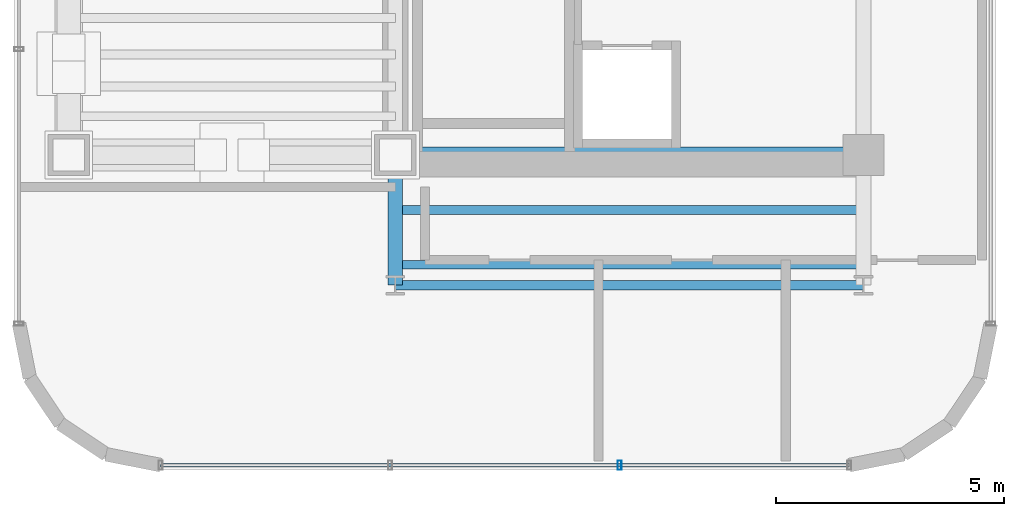
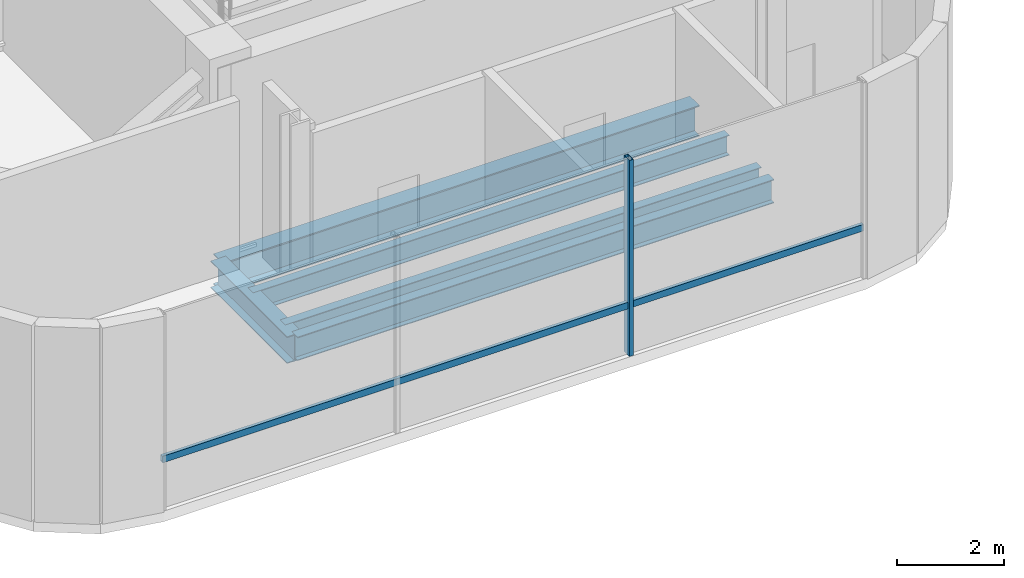
# One storey, part 3 of 20: 5 beams, 2 members, 1 element without a shape of its own.
"""IFC4 building model written with IfcOpenShell, lengths in metres."""

from ifc_helpers import new_model, si_unit, direction, frame, origin, origin_2d, place, context, subcontext, project, spatial, hollow_rectangle, i_section, extrude, source, transform, mapped, material, material_profile, profile_set, type_object, element, aggregate, save


model = new_model("IFC4")

# Units and contexts
model_context = context("Model", 3, precision=1e-05, world=origin(), true_north=direction((0.0, 1.0)))
body_context = subcontext(model_context, "Body", "Model", "MODEL_VIEW")
ifc_project = project(units=[si_unit("LENGTHUNIT", "METRE"), si_unit("AREAUNIT", "SQUARE_METRE"), si_unit("VOLUMEUNIT", "CUBIC_METRE"), si_unit("PLANEANGLEUNIT", "RADIAN"), si_unit("MASSUNIT", "GRAM", prefix="KILO")], contexts=[model_context])

# Site, building, storey
site_placement = place(None, origin())
site = spatial("IfcSite", under=ifc_project, at=site_placement, CompositionType="ELEMENT")
building_placement = place(site_placement, origin())
building = spatial("IfcBuilding", under=site, at=building_placement, Name="Valdorenza Pilgrim Sanctuary Tower", CompositionType="ELEMENT")
storey_placement = place(building_placement, frame((0.0, 0.0, 196.300048828125)))
storey = spatial("IfcBuildingStorey", under=building, at=storey_placement, Name="L50", CompositionType="ELEMENT", Elevation=196.300048828125)

# Beams
ifc_material_1 = material(Name="Steel ASTM A992 Grade 50", Category="steel")
ifc_material_profile_1 = material_profile(ifc_material_1, i_section(OverallWidth=0.323974609375, OverallDepth=0.611083984375, WebThickness=0.0126953125, FlangeThickness=0.01904296875, at=origin_2d()), Name="W24X104")
ifc_profile_set_1 = profile_set([ifc_material_profile_1], Name="Steel ASTM A992 Grade 50")
beam_type_1 = type_object("IfcBeamType", Name="STR-BM-GRD-W24B", PredefinedType="BEAM", material=ifc_profile_set_1)
shared_shape_1 = source(origin(), body_context, "Body", "SweptSolid", [
    extrude(i_section(OverallWidth=0.323974609375, OverallDepth=0.611083984375, WebThickness=0.0126953125, FlangeThickness=0.01904296875, at=origin_2d()), origin(), (0.0, 0.0, 1.0), 2.849853515625),
])
beam_1_placement = place(storey_placement, frame((-22.64990234375, -13.449951171875, -0.545654296875), z_axis=(0.0, 1.0, 0.0), x_axis=(-1.0, 0.0, 0.0)))
element("IfcBeam", 1, at=beam_1_placement, inside=storey, type_object=beam_type_1, Name="L50 Floor Girder WA-S-LW", PredefinedType="BEAM", context=body_context, shape_type="MappedRepresentation", body=[
    mapped(shared_shape_1, transform((0.0, 0.0, 0.0), x_axis=(1.0, 0.0, 0.0), y_axis=(0.0, 1.0, 0.0), z_axis=(0.0, 0.0, 1.0), scale=1.0)),
])
ifc_material_profile_2 = material_profile(ifc_material_1, i_section(OverallWidth=0.19091796875, OverallDepth=0.45703125, WebThickness=0.009033203125, FlangeThickness=0.014404296875, at=origin_2d()), Name="W18X50")
ifc_profile_set_2 = profile_set([ifc_material_profile_2], Name="Steel ASTM A992 Grade 50")
beam_type_2 = type_object("IfcBeamType", Name="STR-BM-JST-W18B", PredefinedType="JOIST", material=ifc_profile_set_2)
shared_shape_2 = source(origin(), body_context, "Body", "SweptSolid", [
    extrude(i_section(OverallWidth=0.19091796875, OverallDepth=0.45703125, WebThickness=0.009033203125, FlangeThickness=0.014404296875, at=origin_2d()), origin(), (0.0, 0.0, 1.0), 10.25),
])
for number, where, z_axis, x_axis, name in (
    (2, (-22.64990234375, -13.0, -0.468505859375), (1.0, 0.0, 0.0), (0.0, 1.0, 0.0), "L50 Composite Floor Joist JST-WAS-1"),
    (3, (-22.64990234375, -11.800048828125, -0.468505859375), (1.0, 0.0, 0.0), (0.0, 1.0, 0.0), "L50 Composite Floor Joist JST-WAS-2"),
):
    element("IfcBeam", number, at=place(storey_placement, frame(where, z_axis=z_axis, x_axis=x_axis)), inside=storey, type_object=beam_type_2, Name=name, PredefinedType="JOIST", context=body_context, shape_type="MappedRepresentation", body=[
        mapped(shared_shape_2, transform((0.0, 0.0, 0.0), x_axis=(1.0, 0.0, 0.0), y_axis=(0.0, 1.0, 0.0), z_axis=(0.0, 0.0, 1.0), scale=1.0)),
    ])
ifc_material_profile_3 = material_profile(ifc_material_1, i_section(OverallWidth=0.2109375, OverallDepth=0.5390625, WebThickness=0.01171875, FlangeThickness=0.018798828125, at=origin_2d()), Name="W21X73")
ifc_profile_set_3 = profile_set([ifc_material_profile_3], Name="Steel ASTM A992 Grade 50")
beam_type_3 = type_object("IfcBeamType", Name="STR-BM-SPN-W21B", PredefinedType="SPANDREL", material=ifc_profile_set_3)
shared_shape_3 = source(origin(), body_context, "Body", "SweptSolid", [
    extrude(i_section(OverallWidth=0.2109375, OverallDepth=0.5390625, WebThickness=0.01171875, FlangeThickness=0.018798828125, at=origin_2d()), origin(), (0.0, 0.0, 1.0), 10.25),
])
beam_2_placement = place(storey_placement, frame((-22.64990234375, -13.449951171875, -0.509521484375), z_axis=(1.0, 0.0, 0.0), x_axis=(0.0, 1.0, 0.0)))
element("IfcBeam", 4, at=beam_2_placement, inside=storey, type_object=beam_type_3, Name="L50 South Spandrel WA-S-TIE", PredefinedType="SPANDREL", context=body_context, shape_type="MappedRepresentation", body=[
    mapped(shared_shape_3, transform((0.0, 0.0, 0.0), x_axis=(1.0, 0.0, 0.0), y_axis=(0.0, 1.0, 0.0), z_axis=(0.0, 0.0, 1.0), scale=1.0)),
])
ifc_material_profile_4 = material_profile(ifc_material_1, i_section(OverallWidth=0.35595703125, OverallDepth=0.700927734375, WebThickness=0.016845703125, FlangeThickness=0.02734375, at=origin_2d()), Name="W27X161")
ifc_profile_set_4 = profile_set([ifc_material_profile_4], Name="Steel ASTM A992 Grade 50")
beam_type_4 = type_object("IfcBeamType", Name="STR-BM-GRD-W27", PredefinedType="BEAM", material=ifc_profile_set_4)
shared_shape_4 = source(origin(), body_context, "Body", "SweptSolid", [
    extrude(i_section(OverallWidth=0.35595703125, OverallDepth=0.700927734375, WebThickness=0.016845703125, FlangeThickness=0.02734375, at=origin_2d()), origin(), (0.0, 0.0, 1.0), 10.25),
])
beam_3_placement = place(storey_placement, frame((-22.64990234375, -10.60009765625, -0.590576171875), z_axis=(1.0, 0.0, 0.0), x_axis=(0.0, 1.0, 0.0)))
element("IfcBeam", 5, at=beam_3_placement, inside=storey, type_object=beam_type_4, Name="L50 Floor Girder CA-XC-S1", PredefinedType="BEAM", context=body_context, shape_type="MappedRepresentation", body=[
    mapped(shared_shape_4, transform((0.0, 0.0, 0.0), x_axis=(1.0, 0.0, 0.0), y_axis=(0.0, 1.0, 0.0), z_axis=(0.0, 0.0, 1.0), scale=1.0)),
])

# Curtain wall, members
ifc_material_2 = material(Name="Curtain-wall IGU glazing", Category="glass")
curtain_wall_type = type_object("IfcCurtainWallType", Name="CW-SYS-02", PredefinedType="NOTDEFINED", material=ifc_material_2)
curtain_wall_placement = place(storey_placement, origin())
curtain_wall = element("IfcCurtainWall", 6, at=curtain_wall_placement, inside=storey, type_object=curtain_wall_type, Name="L50 Curtain Wall CW-L50-1-26", PredefinedType="NOTDEFINED")
ifc_material_3 = material(Name="Anodised aluminium AW-6060", Category="aluminium")
ifc_material_profile_5 = material_profile(ifc_material_3, hollow_rectangle(XDim=0.074951171875, YDim=0.14990234375, WallThickness=0.00390625, at=origin_2d()), Name="ALU-T 150x75x4")
ifc_profile_set_5 = profile_set([ifc_material_profile_5], Name="Anodised aluminium AW-6060")
member_type_1 = type_object("IfcMemberType", Name="CW-TRN-02", PredefinedType="USERDEFINED", material=ifc_profile_set_5)
shared_shape_5 = source(origin(), body_context, "Body", "SweptSolid", [
    extrude(hollow_rectangle(XDim=0.074951171875, YDim=0.14990234375, WallThickness=0.00390625, at=origin_2d()), origin(), (0.0, 0.0, 1.0), 15.07861328125),
])
member_1_placement = place(storey_placement, frame((-12.710693359375, -17.389892578125, 1.119873046875), z_axis=(-1.0, 0.0, 0.0), x_axis=(0.0, -1.0, 0.0)))
member_1 = element("IfcMember", 7, at=member_1_placement, type_object=member_type_1, Name="CW-L50-1-26 Transom 1", ObjectType="TRANSOM", PredefinedType="USERDEFINED", context=body_context, shape_type="MappedRepresentation", body=[
    mapped(shared_shape_5, transform((0.0, 0.0, 0.0), x_axis=(1.0, 0.0, 0.0), y_axis=(0.0, 1.0, 0.0), z_axis=(0.0, 0.0, 1.0), scale=1.0)),
])
ifc_material_profile_6 = material_profile(ifc_material_3, hollow_rectangle(XDim=0.0849609375, YDim=0.199951171875, WallThickness=0.0048828125, at=origin_2d()), Name="ALU-M 200x85x5")
ifc_profile_set_6 = profile_set([ifc_material_profile_6], Name="Anodised aluminium AW-6060")
member_type_2 = type_object("IfcMemberType", Name="CW-MUL-02", PredefinedType="MULLION", material=ifc_profile_set_6)
shared_shape_6 = source(origin(), body_context, "Body", "SweptSolid", [
    extrude(hollow_rectangle(XDim=0.0849609375, YDim=0.199951171875, WallThickness=0.0048828125, at=origin_2d()), origin(), (0.0, 0.0, 1.0), 4.4599609375),
])
member_2_placement = place(storey_placement, frame((-17.73681640625, -17.389892578125, 0.0), z_axis=(0.0, 0.0, 1.0), x_axis=(-1.0, 0.0, 0.0)))
member_2 = element("IfcMember", 8, at=member_2_placement, type_object=member_type_2, Name="CW-L50-1-26 Mullion 2", PredefinedType="MULLION", context=body_context, shape_type="MappedRepresentation", body=[
    mapped(shared_shape_6, transform((0.0, 0.0, 0.0), x_axis=(1.0, 0.0, 0.0), y_axis=(0.0, 1.0, 0.0), z_axis=(0.0, 0.0, 1.0), scale=1.0)),
])
aggregate(curtain_wall, [member_2, member_1])

save(model, "model.ifc")
